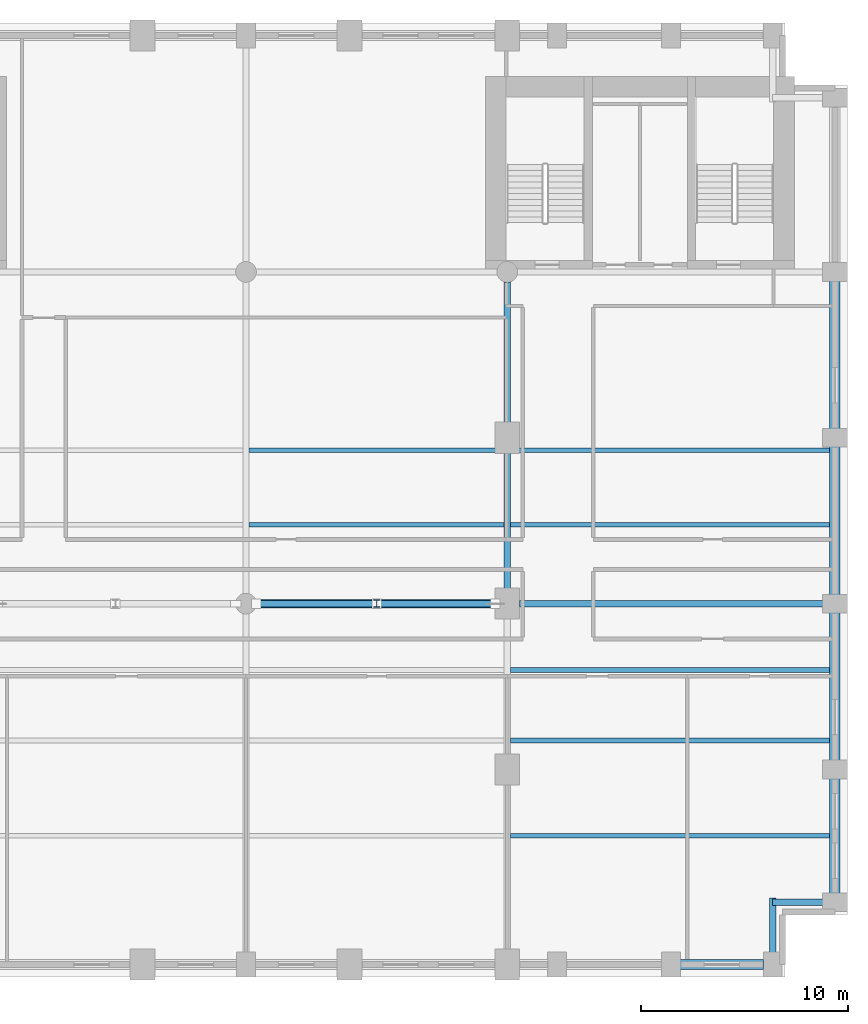
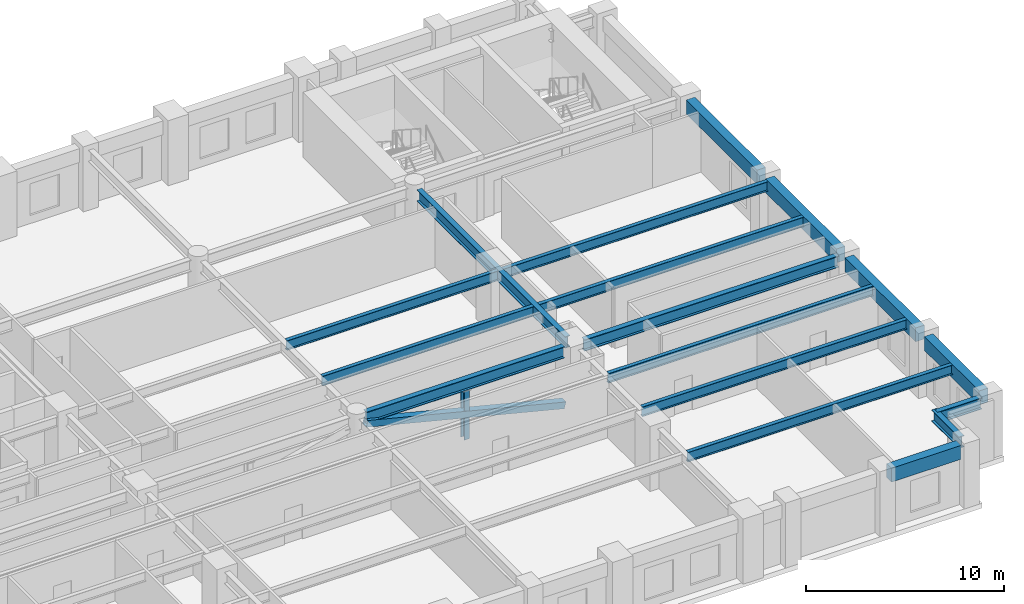
# One storey, part 3 of 10: 17 beams, 2 members.
"""IFC4 building model written with IfcOpenShell, lengths in metres."""

from ifc_helpers import new_model, si_unit, direction, frame, origin, origin_2d, place, context, subcontext, project, spatial, rectangle, hollow_rectangle, i_section, extrude, material, material_profile, profile_set, type_object, element, save


model = new_model("IFC4")

# Units and contexts
model_context = context("Model", 3, precision=1e-05, world=origin(), true_north=direction((0.0, 1.0)))
body_context = subcontext(model_context, "Body", "Model", "MODEL_VIEW")
ifc_project = project(units=[si_unit("LENGTHUNIT", "METRE"), si_unit("AREAUNIT", "SQUARE_METRE"), si_unit("VOLUMEUNIT", "CUBIC_METRE"), si_unit("PLANEANGLEUNIT", "RADIAN"), si_unit("MASSUNIT", "GRAM", prefix="KILO")], contexts=[model_context])

# Site, building, storey
site_placement = place(None, origin())
site = spatial("IfcSite", under=ifc_project, at=site_placement, CompositionType="ELEMENT")
building_placement = place(site_placement, origin())
building = spatial("IfcBuilding", under=site, at=building_placement, Name="Sulina Concourse Tower", CompositionType="ELEMENT")
storey_placement = place(building_placement, frame((0.0, 0.0, 54.60009765625)))
storey = spatial("IfcBuildingStorey", under=building, at=storey_placement, Name="L13", CompositionType="ELEMENT", Elevation=54.60009765625)

# Beams
ifc_material_1 = material(Name="Steel S355", Category="steel")
ifc_material_profile_1 = material_profile(ifc_material_1, i_section(OverallWidth=0.219970703125, OverallDepth=0.60009765625, WebThickness=0.011962890625, FlangeThickness=0.01904296875, at=origin_2d()), Name="IPE 600")
ifc_profile_set_1 = profile_set([ifc_material_profile_1], Name="Steel S355")
beam_type_1 = type_object("IfcBeamType", Name="Composite Floor Joist IPE600", PredefinedType="JOIST", material=ifc_profile_set_1)
for number, where, z_axis, x_axis, name in (
    (1, (41.75, 6.800048828125, 3.39990234375), (1.0, 0.0, 0.0), (0.0, 1.0, 0.0), "FJ-J06-4-L13"),
    (2, (41.75, 11.39990234375, 3.39990234375), (1.0, 0.0, 0.0), (0.0, 1.0, 0.0), "FJ-J11-4-L13"),
    (3, (41.75, 14.800048828125, 3.39990234375), (1.0, 0.0, 0.0), (0.0, 1.0, 0.0), "FJ-J15-4-L13"),
):
    element("IfcBeam", number, at=place(storey_placement, frame(where, z_axis=z_axis, x_axis=x_axis)), inside=storey, type_object=beam_type_1, Name=name, PredefinedType="JOIST", context=body_context, shape_type="SweptSolid", body=[
        extrude(i_section(OverallWidth=0.219970703125, OverallDepth=0.60009765625, WebThickness=0.011962890625, FlangeThickness=0.01904296875, at=origin_2d()), origin(), (0.0, 0.0, 1.0), 15.39990234375),
    ])
beam_1_placement = place(storey_placement, frame((29.14990234375, 21.800048828125, 3.39990234375), z_axis=(1.0, 0.0, 0.0), x_axis=(0.0, 1.0, 0.0)))
element("IfcBeam", 4, at=beam_1_placement, inside=storey, type_object=beam_type_1, Name="FJ-J22-3-L13", PredefinedType="JOIST", context=body_context, shape_type="SweptSolid", body=[
    extrude(i_section(OverallWidth=0.219970703125, OverallDepth=0.60009765625, WebThickness=0.011962890625, FlangeThickness=0.01904296875, at=origin_2d()), origin(), (0.0, 0.0, 1.0), 12.300048828125),
])
beam_2_placement = place(storey_placement, frame((41.75, 21.800048828125, 3.39990234375), z_axis=(1.0, 0.0, 0.0), x_axis=(0.0, 1.0, 0.0)))
element("IfcBeam", 5, at=beam_2_placement, inside=storey, type_object=beam_type_1, Name="FJ-J22-4-L13", PredefinedType="JOIST", context=body_context, shape_type="SweptSolid", body=[
    extrude(i_section(OverallWidth=0.219970703125, OverallDepth=0.60009765625, WebThickness=0.011962890625, FlangeThickness=0.01904296875, at=origin_2d()), origin(), (0.0, 0.0, 1.0), 15.39990234375),
])
beam_3_placement = place(storey_placement, frame((29.14990234375, 25.39990234375, 3.39990234375), z_axis=(1.0, 0.0, 0.0), x_axis=(0.0, 1.0, 0.0)))
element("IfcBeam", 6, at=beam_3_placement, inside=storey, type_object=beam_type_1, Name="FJ-J25-3-L13", PredefinedType="JOIST", context=body_context, shape_type="SweptSolid", body=[
    extrude(i_section(OverallWidth=0.219970703125, OverallDepth=0.60009765625, WebThickness=0.011962890625, FlangeThickness=0.01904296875, at=origin_2d()), origin(), (0.0, 0.0, 1.0), 12.300048828125),
])
beam_4_placement = place(storey_placement, frame((41.75, 25.39990234375, 3.39990234375), z_axis=(1.0, 0.0, 0.0), x_axis=(0.0, 1.0, 0.0)))
element("IfcBeam", 7, at=beam_4_placement, inside=storey, type_object=beam_type_1, Name="FJ-J25-4-L13", PredefinedType="JOIST", context=body_context, shape_type="SweptSolid", body=[
    extrude(i_section(OverallWidth=0.219970703125, OverallDepth=0.60009765625, WebThickness=0.011962890625, FlangeThickness=0.01904296875, at=origin_2d()), origin(), (0.0, 0.0, 1.0), 15.39990234375),
])
ifc_material_2 = material(Name="Steel S355", Category="steel")
ifc_material_profile_2 = material_profile(ifc_material_2, i_section(OverallWidth=0.300048828125, OverallDepth=0.699951171875, WebThickness=0.01708984375, FlangeThickness=0.031982421875, at=origin_2d()), Name="HE 700 B")
ifc_profile_set_2 = profile_set([ifc_material_profile_2], Name="Steel S355")
beam_type_2 = type_object("IfcBeamType", Name="Floor Primary Girder Zone 1 HE700B", PredefinedType="BEAM", material=ifc_profile_set_2)
beam_5_placement = place(storey_placement, frame((54.39990234375, 3.60009765625, 3.349853515625), z_axis=(1.0, 0.0, 0.0), x_axis=(0.0, 1.0, 0.0)))
element("IfcBeam", 8, at=beam_5_placement, inside=storey, type_object=beam_type_2, Name="TIE-SE-L13", PredefinedType="BEAM", context=body_context, shape_type="SweptSolid", body=[
    extrude(i_section(OverallWidth=0.300048828125, OverallDepth=0.699951171875, WebThickness=0.01708984375, FlangeThickness=0.031982421875, at=origin_2d()), origin(), (0.0, 0.0, 1.0), 2.570068359375),
])
beam_6_placement = place(storey_placement, frame((54.39990234375, 1.030029296875, 3.349853515625), z_axis=(0.0, 1.0, 0.0), x_axis=(-1.0, 0.0, 0.0)))
element("IfcBeam", 9, at=beam_6_placement, inside=storey, type_object=beam_type_2, Name="TIE-SES-L13", PredefinedType="BEAM", context=body_context, shape_type="SweptSolid", body=[
    extrude(i_section(OverallWidth=0.300048828125, OverallDepth=0.699951171875, WebThickness=0.01708984375, FlangeThickness=0.031982421875, at=origin_2d()), origin(), (0.0, 0.0, 1.0), 2.77001953125),
])
beam_7_placement = place(storey_placement, frame((29.47998046875, 18.0, 3.349853515625), z_axis=(1.0, 0.0, 0.0), x_axis=(0.0, 1.0, 0.0)))
element("IfcBeam", 10, at=beam_7_placement, inside=storey, type_object=beam_type_2, Name="FG-EW3-L13", PredefinedType="BEAM", context=body_context, shape_type="SweptSolid", body=[
    extrude(i_section(OverallWidth=0.300048828125, OverallDepth=0.699951171875, WebThickness=0.01708984375, FlangeThickness=0.031982421875, at=origin_2d()), origin(), (0.0, 0.0, 1.0), 11.5400390625),
])
beam_8_placement = place(storey_placement, frame((42.179931640625, 18.0, 3.349853515625), z_axis=(1.0, 0.0, 0.0), x_axis=(0.0, 1.0, 0.0)))
element("IfcBeam", 11, at=beam_8_placement, inside=storey, type_object=beam_type_2, Name="FG-EW4-L13", PredefinedType="BEAM", context=body_context, shape_type="SweptSolid", body=[
    extrude(i_section(OverallWidth=0.300048828125, OverallDepth=0.699951171875, WebThickness=0.01708984375, FlangeThickness=0.031982421875, at=origin_2d()), origin(), (0.0, 0.0, 1.0), 14.7900390625),
])
beam_9_placement = place(storey_placement, frame((41.60009765625, 18.580078125, 3.349853515625), z_axis=(0.0, 1.0, 0.0), x_axis=(-1.0, 0.0, 0.0)))
element("IfcBeam", 12, at=beam_9_placement, inside=storey, type_object=beam_type_2, Name="FG-NSB-41-L13", PredefinedType="BEAM", context=body_context, shape_type="SweptSolid", body=[
    extrude(i_section(OverallWidth=0.300048828125, OverallDepth=0.699951171875, WebThickness=0.01708984375, FlangeThickness=0.031982421875, at=origin_2d()), origin(), (0.0, 0.0, 1.0), 14.93994140625),
])

# Member
ifc_material_3 = material(Name="Steel S355", Category="steel")
ifc_material_profile_3 = material_profile(ifc_material_3, hollow_rectangle(XDim=0.39990234375, YDim=0.39990234375, WallThickness=0.02001953125, at=origin_2d()), Name="SHS 400x400x20")
ifc_profile_set_3 = profile_set([ifc_material_profile_3], Name="Steel S355")
member_type_1 = type_object("IfcMemberType", Name="Lower Portal Bridge Web Brace SHS400x400x20", PredefinedType="BRACE", material=ifc_profile_set_3)
member_1_placement = place(storey_placement, frame((41.010009765625, 18.0, 0.119873046875), z_axis=(-0.969941447513, 0.0, 0.243338423593), x_axis=(0.0, -1.0, 0.0)))
element("IfcMember", 13, at=member_1_placement, inside=storey, type_object=member_type_1, Name="LBT-DG-2-L13", PredefinedType="BRACE", context=body_context, shape_type="SweptSolid", body=[
    extrude(hollow_rectangle(XDim=0.39990234375, YDim=0.39990234375, WallThickness=0.02001953125, at=origin_2d()), origin(), (0.0, 0.0, 1.0), 11.876953125),
])

# Beams
ifc_material_4 = material(Name="Precast concrete C50/60", Category="concrete")
ifc_material_profile_4 = material_profile(ifc_material_4, rectangle(XDim=0.5, YDim=0.85009765625, at=origin_2d()), Name="RC 500x850")
ifc_profile_set_4 = profile_set([ifc_material_profile_4], Name="Precast concrete C50/60")
beam_type_3 = type_object("IfcBeamType", Name="Lower Precast Spandrel Edge Beam 500x850", PredefinedType="BEAM", material=ifc_profile_set_4)
beam_10_placement = place(storey_placement, frame((49.929931640625, 0.60009765625, 3.27490234375), z_axis=(1.0, 0.0, 0.0), x_axis=(0.0, 1.0, 0.0)))
element("IfcBeam", 14, at=beam_10_placement, inside=storey, type_object=beam_type_3, Name="SP-S10-L13", PredefinedType="BEAM", context=body_context, shape_type="SweptSolid", body=[
    extrude(rectangle(XDim=0.5, YDim=0.85009765625, at=origin_2d()), origin(), (0.0, 0.0, 1.0), 4.0400390625),
])
beam_11_placement = place(storey_placement, frame((57.39990234375, 4.030029296875, 3.27490234375), z_axis=(0.0, 1.0, 0.0), x_axis=(-1.0, 0.0, 0.0)))
element("IfcBeam", 15, at=beam_11_placement, inside=storey, type_object=beam_type_3, Name="SP-E1-L13", PredefinedType="BEAM", context=body_context, shape_type="SweptSolid", body=[
    extrude(rectangle(XDim=0.5, YDim=0.85009765625, at=origin_2d()), origin(), (0.0, 0.0, 1.0), 5.5400390625),
])
for number, where, z_axis, x_axis, name in (
    (16, (57.39990234375, 10.429931640625, 3.27490234375), (0.0, 1.0, 0.0), (-1.0, 0.0, 0.0), "SP-E2-L13"),
    (17, (57.39990234375, 18.429931640625, 3.27490234375), (0.0, 1.0, 0.0), (-1.0, 0.0, 0.0), "SP-E3-L13"),
    (18, (57.39990234375, 26.429931640625, 3.27490234375), (0.0, 1.0, 0.0), (-1.0, 0.0, 0.0), "SP-E4-L13"),
):
    element("IfcBeam", number, at=place(storey_placement, frame(where, z_axis=z_axis, x_axis=x_axis)), inside=storey, type_object=beam_type_3, Name=name, PredefinedType="BEAM", context=body_context, shape_type="SweptSolid", body=[
        extrude(rectangle(XDim=0.5, YDim=0.85009765625, at=origin_2d()), origin(), (0.0, 0.0, 1.0), 7.14013671875),
    ])

# Member
ifc_material_5 = material(Name="Steel S355", Category="steel")
ifc_material_profile_5 = material_profile(ifc_material_5, i_section(OverallWidth=0.300048828125, OverallDepth=0.360107421875, WebThickness=0.012451171875, FlangeThickness=0.0224609375, at=origin_2d()), Name="HE 360 B")
ifc_profile_set_5 = profile_set([ifc_material_profile_5], Name="Steel S355")
member_type_2 = type_object("IfcMemberType", Name="Truss Vertical Post Strut HE360B", PredefinedType="STRUT", material=ifc_profile_set_5)
member_2_placement = place(storey_placement, frame((35.300048828125, 18.0, 0.0048828125), z_axis=(0.0, 0.0, 1.0), x_axis=(1.0, 0.0, 0.0)))
element("IfcMember", 19, at=member_2_placement, inside=storey, type_object=member_type_2, Name="LBT-VP-2-L13", PredefinedType="STRUT", context=body_context, shape_type="SweptSolid", body=[
    extrude(i_section(OverallWidth=0.300048828125, OverallDepth=0.360107421875, WebThickness=0.012451171875, FlangeThickness=0.0224609375, at=origin_2d()), origin(), (0.0, 0.0, 1.0), 3.005126953125),
])

save(model, "model.ifc")
